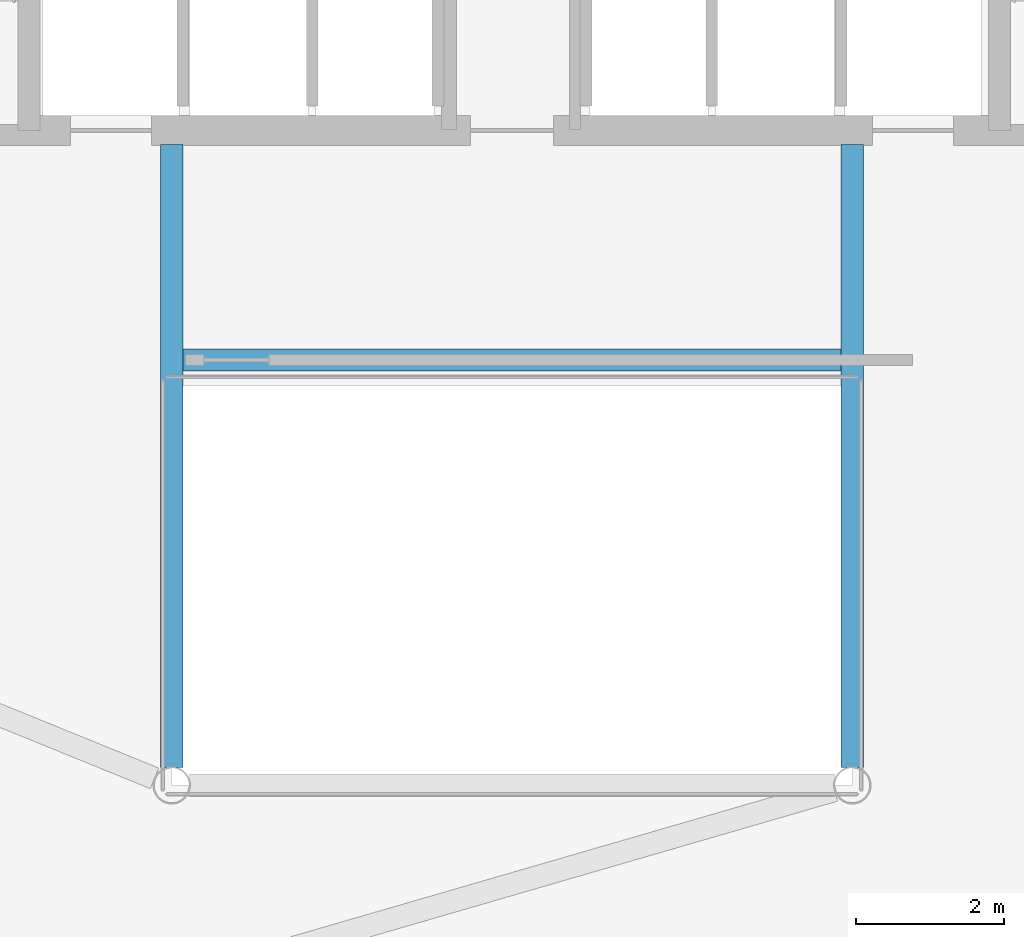
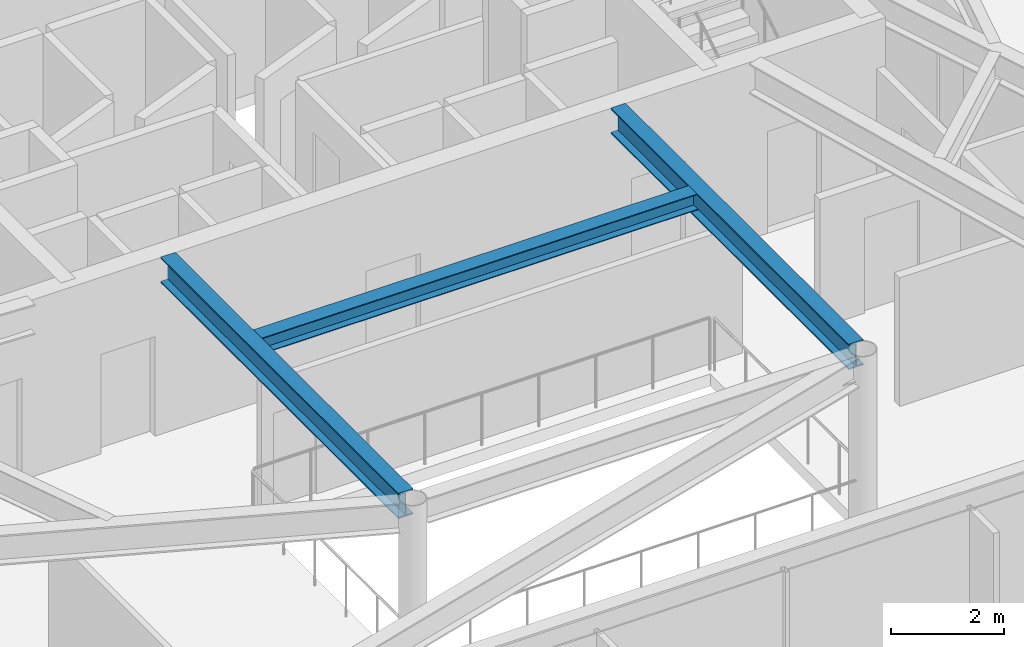
# One storey, part 8 of 26: 3 beams.
"""IFC4 building model written with IfcOpenShell, lengths in metres."""

from ifc_helpers import new_model, si_unit, direction, frame, origin, origin_2d, place, context, subcontext, project, spatial, i_section, extrude, material, material_profile, profile_set, type_object, element, save


model = new_model("IFC4")

# Units and contexts
model_context = context("Model", 3, precision=1e-05, world=origin(), true_north=direction((0.0, 1.0)))
body_context = subcontext(model_context, "Body", "Model", "MODEL_VIEW")
ifc_project = project(units=[si_unit("LENGTHUNIT", "METRE"), si_unit("AREAUNIT", "SQUARE_METRE"), si_unit("VOLUMEUNIT", "CUBIC_METRE"), si_unit("PLANEANGLEUNIT", "RADIAN"), si_unit("MASSUNIT", "GRAM", prefix="KILO")], contexts=[model_context])

# Site, building, storey
site_placement = place(None, origin())
site = spatial("IfcSite", under=ifc_project, at=site_placement, CompositionType="ELEMENT")
building_placement = place(site_placement, origin())
building = spatial("IfcBuilding", under=site, at=building_placement, Name="Zarrinselat Tower", CompositionType="ELEMENT")
storey_placement = place(building_placement, frame((0.0, 0.0, 31.6201171875)))
storey = spatial("IfcBuildingStorey", under=building, at=storey_placement, Name="L07", CompositionType="ELEMENT", Elevation=31.6201171875)

# Beams
ifc_material_1 = material(Name="Steel S355J2", Category="steel")
ifc_material_profile_1 = material_profile(ifc_material_1, i_section(OverallWidth=0.300048828125, OverallDepth=0.35009765625, WebThickness=0.010009765625, FlangeThickness=0.017578125, at=origin_2d()), Name="HEA 360")
ifc_profile_set_1 = profile_set([ifc_material_profile_1], Name="Steel S355J2")
beam_type_1 = type_object("IfcBeamType", Name="BM-HEA360", PredefinedType="LINTEL", material=ifc_profile_set_1)
beam_placement = place(storey_placement, frame((33.93994140625, 30.14990234375, 3.644775390625), z_axis=(1.0, 0.0, 0.0), x_axis=(0.0, 1.0, 0.0)))
element("IfcBeam", 1, at=beam_placement, inside=storey, type_object=beam_type_1, Name="L07 Lift Lobby Ceiling Beam", PredefinedType="LINTEL", context=body_context, shape_type="SweptSolid", body=[
    extrude(i_section(OverallWidth=0.300048828125, OverallDepth=0.35009765625, WebThickness=0.010009765625, FlangeThickness=0.017578125, at=origin_2d()), origin(), (0.0, 0.0, 1.0), 8.920166015625),
])
ifc_material_2 = material(Name="Steel S355J2", Category="steel")
ifc_material_profile_2 = material_profile(ifc_material_2, i_section(OverallWidth=0.300048828125, OverallDepth=0.550048828125, WebThickness=0.014892578125, FlangeThickness=0.029052734375, at=origin_2d()), Name="HEB 550")
ifc_profile_set_2 = profile_set([ifc_material_profile_2], Name="Steel S355J2")
beam_type_2 = type_object("IfcBeamType", Name="BM-HEB550", PredefinedType="BEAM", material=ifc_profile_set_2)
for number, where, z_axis, x_axis, name in (
    (2, (33.800048828125, 24.639892578125, 3.544921875), (0.0, 1.0, 0.0), (-1.0, 0.0, 0.0), "L07 Atrium Edge Beam W"),
    (3, (43.0, 24.639892578125, 3.544921875), (0.0, 1.0, 0.0), (-1.0, 0.0, 0.0), "L07 Atrium Edge Beam E"),
):
    element("IfcBeam", number, at=place(storey_placement, frame(where, z_axis=z_axis, x_axis=x_axis)), inside=storey, type_object=beam_type_2, Name=name, PredefinedType="BEAM", context=body_context, shape_type="SweptSolid", body=[
        extrude(i_section(OverallWidth=0.300048828125, OverallDepth=0.550048828125, WebThickness=0.014892578125, FlangeThickness=0.029052734375, at=origin_2d()), origin(), (0.0, 0.0, 1.0), 8.420166015625),
    ])

save(model, "model.ifc")
